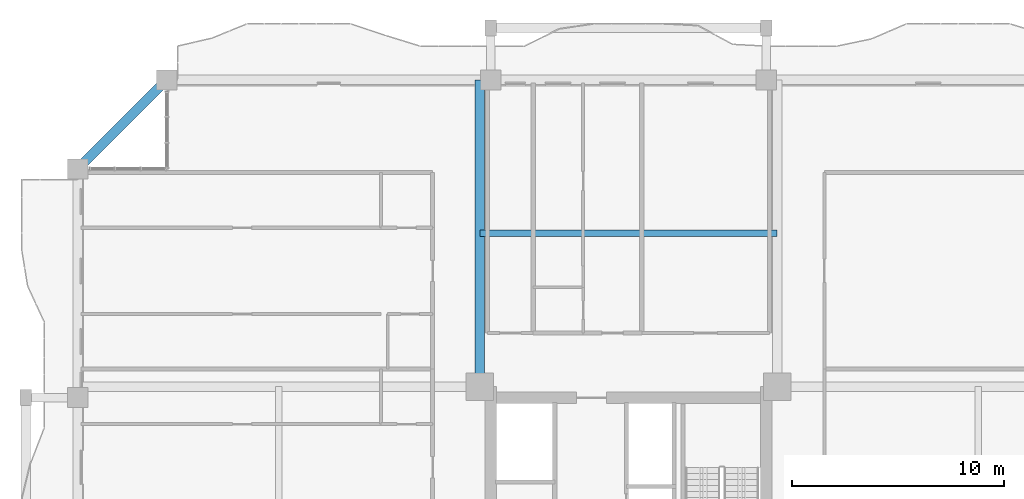
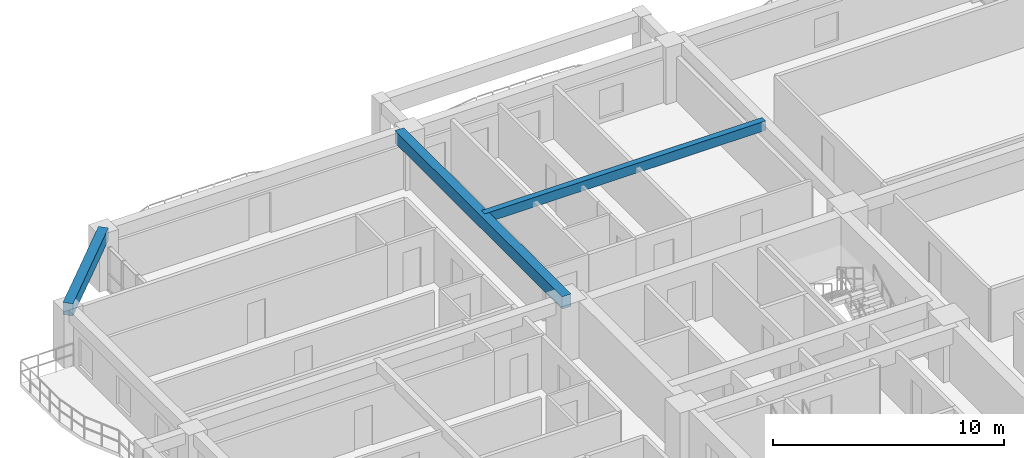
# One storey, part 7 of 22: 3 beams.
"""IFC4 building model written with IfcOpenShell, lengths in metres."""

from ifc_helpers import new_model, si_unit, direction, frame, origin, origin_2d, place, context, subcontext, project, spatial, rectangle, extrude, source, transform, mapped, material, material_profile, profile_set, type_object, element, save


model = new_model("IFC4")

# Units and contexts
model_context = context("Model", 3, precision=1e-05, world=origin(), true_north=direction((0.0, 1.0)))
body_context = subcontext(model_context, "Body", "Model", "MODEL_VIEW")
ifc_project = project(units=[si_unit("LENGTHUNIT", "METRE"), si_unit("AREAUNIT", "SQUARE_METRE"), si_unit("VOLUMEUNIT", "CUBIC_METRE"), si_unit("PLANEANGLEUNIT", "RADIAN"), si_unit("MASSUNIT", "GRAM", prefix="KILO")], contexts=[model_context])

# Site, building, storey
site_placement = place(None, origin())
site = spatial("IfcSite", under=ifc_project, at=site_placement, CompositionType="ELEMENT")
building_placement = place(site_placement, origin())
building = spatial("IfcBuilding", under=site, at=building_placement, Name="Saelheon Loggia Tower", CompositionType="ELEMENT")
storey_placement = place(building_placement, frame((0.0, 0.0, 135.75)))
storey = spatial("IfcBuildingStorey", under=building, at=storey_placement, Name="L43", CompositionType="ELEMENT", Elevation=135.75)

# Beams
ifc_material = material(Name="Concrete C40/50", Category="concrete")
ifc_material_profile_1 = material_profile(ifc_material, rectangle(XDim=0.449951171875, YDim=0.64990234375, at=origin_2d()), Name="RC-450x650")
ifc_profile_set_1 = profile_set([ifc_material_profile_1], Name="Concrete C40/50")
beam_type_1 = type_object("IfcBeamType", Name="Beam_PerimTower_RC450x650", PredefinedType="BEAM", material=ifc_profile_set_1)
shared_shape_1 = source(origin(), body_context, "Body", "SweptSolid", [
    extrude(rectangle(XDim=0.449951171875, YDim=0.64990234375, at=origin_2d()), origin(), (0.0, 0.0, 1.0), 5.939697265625),
])
beam_1_placement = place(storey_placement, frame((16.199951171875, 51.0, 2.675048828125), z_axis=(-0.707106781187, -0.707106781187, 0.0), x_axis=(0.707106781187, -0.707106781187, 0.0)))
element("IfcBeam", 1, at=beam_1_placement, inside=storey, type_object=beam_type_1, Name="L43 Perimeter Frame Girder 12", PredefinedType="BEAM", context=body_context, shape_type="MappedRepresentation", body=[
    mapped(shared_shape_1, transform((0.0, 0.0, 0.0), scale=1.0)),
])
ifc_material_profile_2 = material_profile(ifc_material, rectangle(XDim=0.449951171875, YDim=0.64990234375, at=origin_2d()), Name="RC-450x650")
ifc_profile_set_2 = profile_set([ifc_material_profile_2], Name="Concrete C40/50")
beam_type_2 = type_object("IfcBeamType", Name="Beam_TowerGirder_RC450x650", PredefinedType="BEAM", material=ifc_profile_set_2)
shared_shape_2 = source(origin(), body_context, "Body", "SweptSolid", [
    extrude(rectangle(XDim=0.449951171875, YDim=0.64990234375, at=origin_2d()), origin(), (0.0, 0.0, 1.0), 14.47998046875),
])
beam_2_placement = place(storey_placement, frame((30.97998046875, 36.52001953125, 2.675048828125), z_axis=(0.0, 1.0, 0.0), x_axis=(-1.0, 0.0, 0.0)))
element("IfcBeam", 2, at=beam_2_placement, inside=storey, type_object=beam_type_2, Name="L43 Radial Floor Girder RAD-NW-N", PredefinedType="BEAM", context=body_context, shape_type="MappedRepresentation", body=[
    mapped(shared_shape_2, transform((0.0, 0.0, 0.0), scale=1.0)),
])
ifc_material_profile_3 = material_profile(ifc_material, rectangle(XDim=0.300048828125, YDim=0.5, at=origin_2d()), Name="RC-300x500")
ifc_profile_set_3 = profile_set([ifc_material_profile_3], Name="Concrete C40/50")
beam_type_3 = type_object("IfcBeamType", Name="Beam_Joist_RC300x500", PredefinedType="JOIST", material=ifc_profile_set_3)
shared_shape_3 = source(origin(), body_context, "Body", "SweptSolid", [
    extrude(rectangle(XDim=0.300048828125, YDim=0.5, at=origin_2d()), origin(), (0.0, 0.0, 1.0), 14.0400390625),
])
beam_3_placement = place(storey_placement, frame((30.97998046875, 43.760009765625, 2.75), z_axis=(1.0, 0.0, 0.0), x_axis=(0.0, 1.0, 0.0)))
element("IfcBeam", 3, at=beam_3_placement, inside=storey, type_object=beam_type_3, Name="L43 North Floor Joist", PredefinedType="JOIST", context=body_context, shape_type="MappedRepresentation", body=[
    mapped(shared_shape_3, transform((0.0, 0.0, 0.0), scale=1.0)),
])

save(model, "model.ifc")
